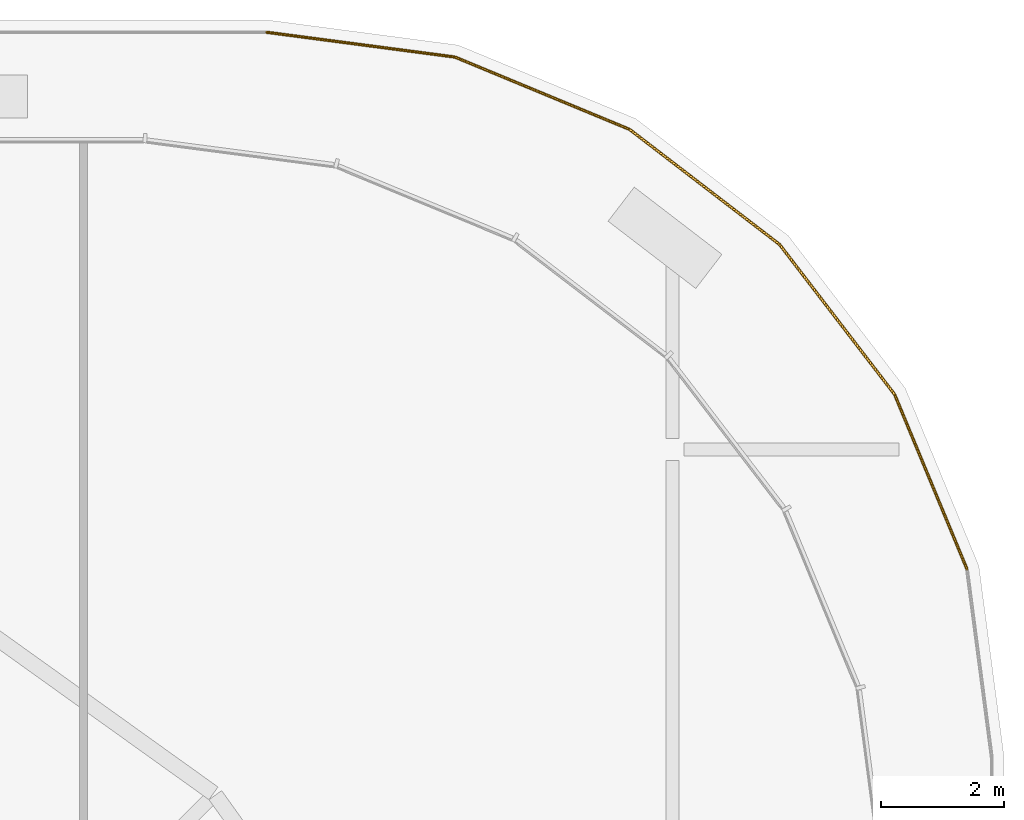
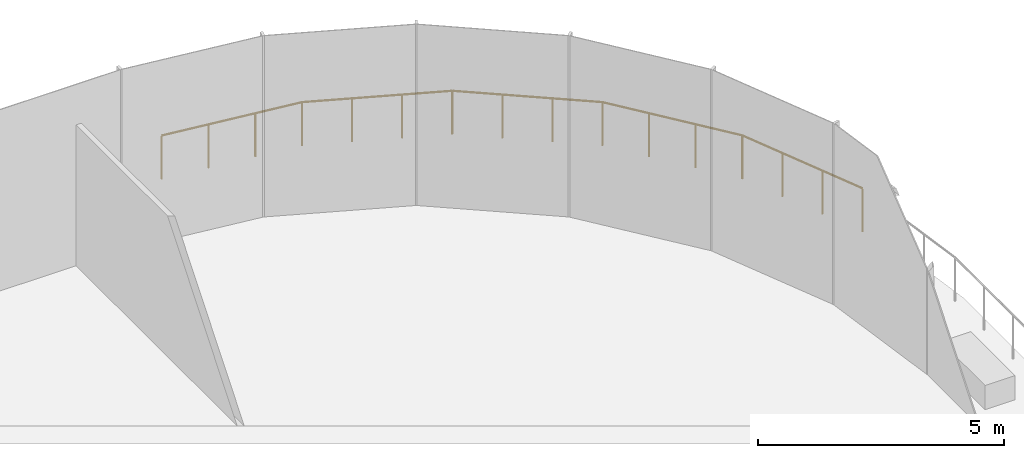
# One storey, part 48 of 49: 1 railing.
"""IFC4 building model written with IfcOpenShell, lengths in metres."""

from ifc_helpers import new_model, si_unit, direction, frame, origin, origin_2d, place, context, subcontext, project, spatial, circle, extrude, material, type_object, element, save


model = new_model("IFC4")

# Units and contexts
model_context = context("Model", 3, precision=1e-05, world=origin(), true_north=direction((0.0, 1.0)))
body_context = subcontext(model_context, "Body", "Model", "MODEL_VIEW")
ifc_project = project(units=[si_unit("LENGTHUNIT", "METRE"), si_unit("AREAUNIT", "SQUARE_METRE"), si_unit("VOLUMEUNIT", "CUBIC_METRE"), si_unit("PLANEANGLEUNIT", "RADIAN"), si_unit("MASSUNIT", "GRAM", prefix="KILO")], contexts=[model_context])

# Site, building, storey
site_placement = place(None, origin())
site = spatial("IfcSite", under=ifc_project, at=site_placement, CompositionType="ELEMENT")
building_placement = place(site_placement, origin())
building = spatial("IfcBuilding", under=site, at=building_placement, Name="Rimbun Link Towers", CompositionType="ELEMENT")
storey_placement = place(building_placement, frame((0.0, 0.0, 25.5)))
storey = spatial("IfcBuildingStorey", under=building, at=storey_placement, Name="L05", CompositionType="ELEMENT", Elevation=25.5)

# Railing
ifc_material = material(Name="Toughened laminated glass, stainless steel grade 316 posts and cap rail", Category="steel")
railing_type = type_object("IfcRailingType", Name="GUARD glass balustrade with stainless cap rail", PredefinedType="BALUSTRADE", material=ifc_material)
railing_placement = place(storey_placement, frame((59.396240234375, 19.0537109375, 0.0)))
element("IfcRailing", 1, at=railing_placement, inside=storey, type_object=railing_type, Name="GUARD glass balustrade", PredefinedType="BALUSTRADE", context=body_context, shape_type="SweptSolid", body=[
    extrude(circle(Radius=0.02392578125, at=origin_2d()), frame((0.0, 0.0, 1.076171875), z_axis=(-0.382706499462, 0.92386997747, 0.0), x_axis=(-0.92386997747, -0.382706499462, 0.0)), (0.0, 0.0, 1.0), 3.079833984375),
    extrude(circle(Radius=0.02392578125, at=origin_2d()), frame((-1.1787109375, 2.845458984375, 1.076171875), z_axis=(-0.608702762794, 0.793398353015, 0.0), x_axis=(-0.793398353015, -0.608702762794, 0.0)), (0.0, 0.0, 1.0), 3.079833984375),
    extrude(circle(Radius=0.02392578125, at=origin_2d()), frame((-3.053466796875, 5.2890625, 1.076171875), z_axis=(-0.793398353015, 0.608702762794, 0.0), x_axis=(-0.608702762794, -0.793398353015, 0.0)), (0.0, 0.0, 1.0), 3.079833984375),
    extrude(circle(Radius=0.02392578125, at=origin_2d()), frame((-5.4970703125, 7.163818359375, 1.076171875), z_axis=(-0.92386997747, 0.382706499462, 0.0), x_axis=(-0.382706499462, -0.92386997747, 0.0)), (0.0, 0.0, 1.0), 3.079833984375),
    extrude(circle(Radius=0.02392578125, at=origin_2d()), frame((-8.342529296875, 8.342529296875, 1.076171875), z_axis=(-0.991443009305, 0.130540259305, 0.0), x_axis=(-0.130540259305, -0.991443009305, 0.0)), (0.0, 0.0, 1.0), 3.09326171875),
    extrude(circle(Radius=0.02099609375, at=origin_2d()), origin(), (0.0, 0.0, 1.0), 1.052001953125),
    extrude(circle(Radius=0.02099609375, at=origin_2d()), frame((-0.392822265625, 0.948486328125, 0.0)), (0.0, 0.0, 1.0), 1.052001953125),
    extrude(circle(Radius=0.02099609375, at=origin_2d()), frame((-0.785888671875, 1.89697265625, 0.0)), (0.0, 0.0, 1.0), 1.052001953125),
    extrude(circle(Radius=0.02099609375, at=origin_2d()), frame((-1.1787109375, 2.845458984375, 0.0)), (0.0, 0.0, 1.0), 1.052001953125),
    extrude(circle(Radius=0.02099609375, at=origin_2d()), frame((-1.8037109375, 3.659912109375, 0.0)), (0.0, 0.0, 1.0), 1.052001953125),
    extrude(circle(Radius=0.02099609375, at=origin_2d()), frame((-2.428466796875, 4.474609375, 0.0)), (0.0, 0.0, 1.0), 1.052001953125),
    extrude(circle(Radius=0.02099609375, at=origin_2d()), frame((-3.053466796875, 5.2890625, 0.0)), (0.0, 0.0, 1.0), 1.052001953125),
    extrude(circle(Radius=0.02099609375, at=origin_2d()), frame((-3.867919921875, 5.9140625, 0.0)), (0.0, 0.0, 1.0), 1.052001953125),
    extrude(circle(Radius=0.02099609375, at=origin_2d()), frame((-4.6826171875, 6.538818359375, 0.0)), (0.0, 0.0, 1.0), 1.052001953125),
    extrude(circle(Radius=0.02099609375, at=origin_2d()), frame((-5.4970703125, 7.163818359375, 0.0)), (0.0, 0.0, 1.0), 1.052001953125),
    extrude(circle(Radius=0.02099609375, at=origin_2d()), frame((-6.445556640625, 7.556640625, 0.0)), (0.0, 0.0, 1.0), 1.052001953125),
    extrude(circle(Radius=0.02099609375, at=origin_2d()), frame((-7.39404296875, 7.94970703125, 0.0)), (0.0, 0.0, 1.0), 1.052001953125),
    extrude(circle(Radius=0.02099609375, at=origin_2d()), frame((-8.342529296875, 8.342529296875, 0.0)), (0.0, 0.0, 1.0), 1.052001953125),
    extrude(circle(Radius=0.02099609375, at=origin_2d()), frame((-9.36474609375, 8.47705078125, 0.0)), (0.0, 0.0, 1.0), 1.052001953125),
    extrude(circle(Radius=0.02099609375, at=origin_2d()), frame((-10.38720703125, 8.61181640625, 0.0)), (0.0, 0.0, 1.0), 1.052001953125),
    extrude(circle(Radius=0.02099609375, at=origin_2d()), frame((-11.409423828125, 8.746337890625, 0.0)), (0.0, 0.0, 1.0), 1.052001953125),
])

save(model, "model.ifc")
